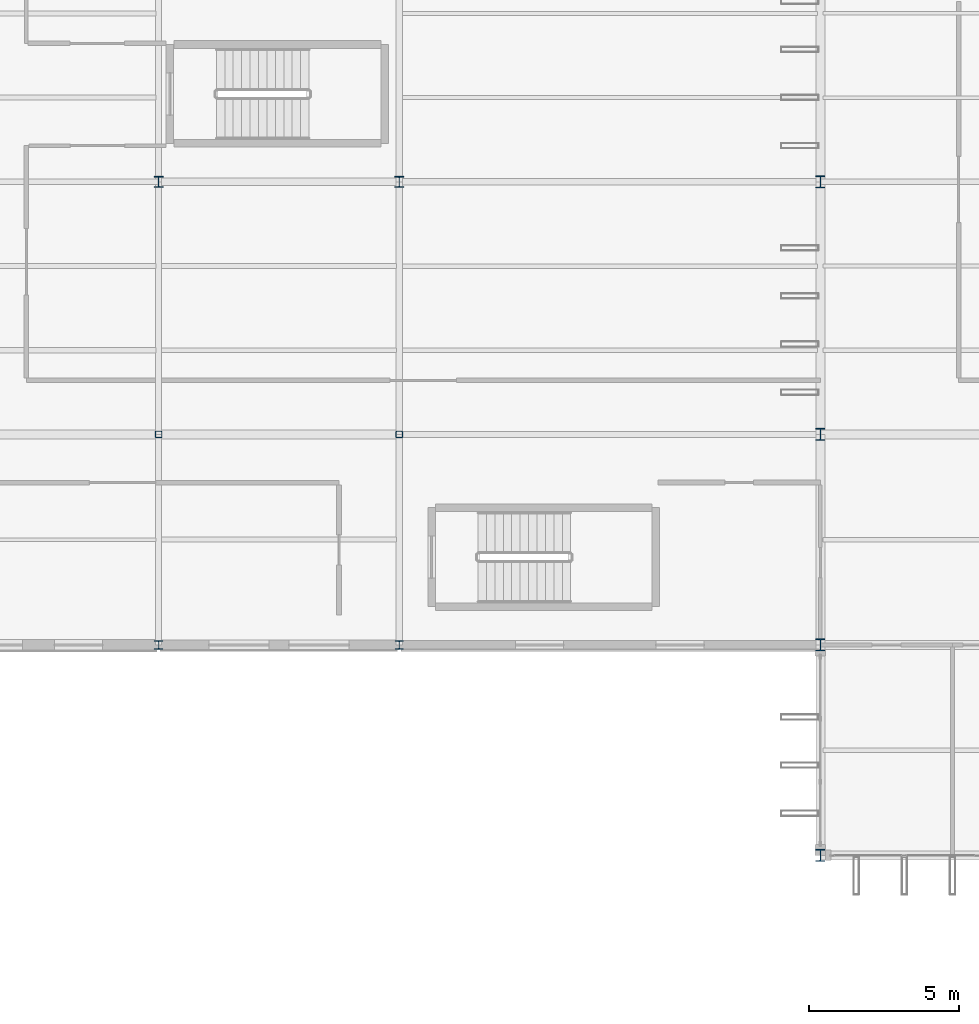
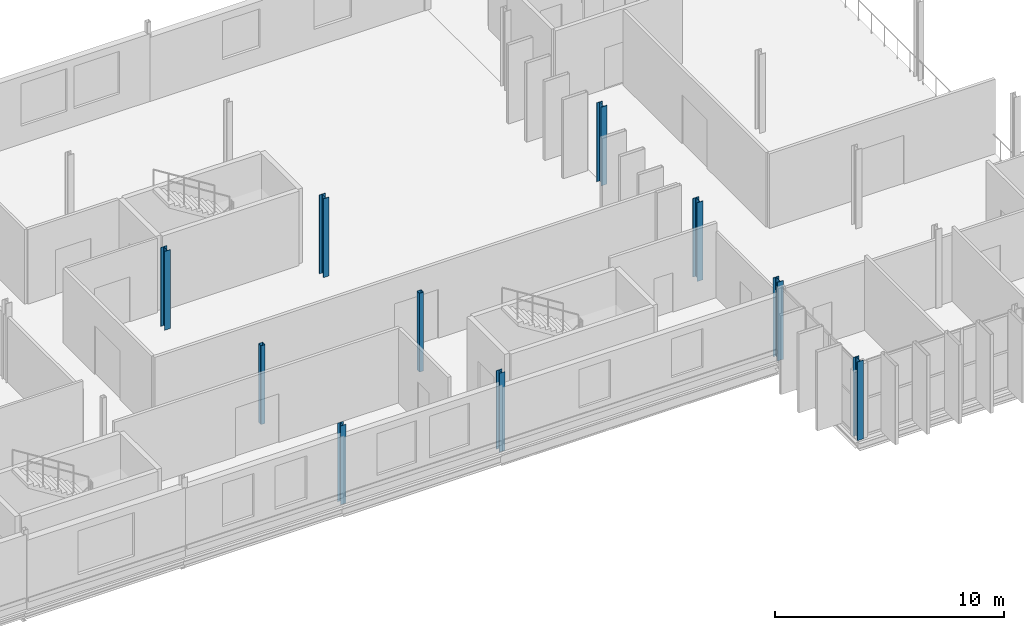
# One storey, part 2 of 101: 10 columns.
"""IFC4 building model written with IfcOpenShell, lengths in metres."""

from ifc_helpers import new_model, si_unit, direction, frame, origin, origin_2d, place, context, subcontext, project, spatial, hollow_rectangle, i_section, extrude, material, material_profile, profile_set, type_object, element, save


model = new_model("IFC4")

# Units and contexts
model_context = context("Model", 3, precision=1e-05, world=origin(), true_north=direction((0.0, 1.0)))
body_context = subcontext(model_context, "Body", "Model", "MODEL_VIEW")
ifc_project = project(units=[si_unit("LENGTHUNIT", "METRE"), si_unit("AREAUNIT", "SQUARE_METRE"), si_unit("VOLUMEUNIT", "CUBIC_METRE"), si_unit("PLANEANGLEUNIT", "RADIAN"), si_unit("MASSUNIT", "GRAM", prefix="KILO")], contexts=[model_context])

# Site, building, storey
site_placement = place(None, origin())
site = spatial("IfcSite", under=ifc_project, at=site_placement, CompositionType="ELEMENT")
building_placement = place(site_placement, origin())
building = spatial("IfcBuilding", under=site, at=building_placement, Name="Vekula Escarpment Museum", CompositionType="ELEMENT")
storey_placement = place(building_placement, frame((0.0, 0.0, 18.0)))
storey = spatial("IfcBuildingStorey", under=building, at=storey_placement, Name="L04", CompositionType="ELEMENT", Elevation=18.0)

# Columns
ifc_material_1 = material(Name="Steel S355", Category="steel")
ifc_material_profile_1 = material_profile(ifc_material_1, i_section(OverallWidth=0.280029296875, OverallDepth=0.27001953125, WebThickness=0.008056640625, FlangeThickness=0.012939453125, FilletRadius=0.02392578125, at=origin_2d()), Name="HEA 280")
ifc_profile_set_1 = profile_set([ifc_material_profile_1], Name="Steel S355")
column_type_1 = type_object("IfcColumnType", Name="COL-S-HEA280", PredefinedType="COLUMN", material=ifc_profile_set_1)
for number, where, z_axis, x_axis, name in (
    (1, (48.0, 52.60009765625, 0.0), (0.0, 0.0, 1.0), (1.0, 0.0, 0.0), "Column L04 (48.0,52.6)"),
    (2, (56.0, 52.60009765625, 0.0), (0.0, 0.0, 1.0), (1.0, 0.0, 0.0), "Column L04 (56.0,52.6)"),
):
    element("IfcColumn", number, at=place(storey_placement, frame(where, z_axis=z_axis, x_axis=x_axis)), inside=storey, type_object=column_type_1, Name=name, PredefinedType="COLUMN", context=body_context, shape_type="SweptSolid", body=[
        extrude(i_section(OverallWidth=0.280029296875, OverallDepth=0.27001953125, WebThickness=0.008056640625, FlangeThickness=0.012939453125, FilletRadius=0.02392578125, at=origin_2d()), origin(), (0.0, 0.0, 1.0), 4.199951171875),
    ])
ifc_material_2 = material(Name="Steel S355", Category="steel")
ifc_material_profile_2 = material_profile(ifc_material_2, i_section(OverallWidth=0.300048828125, OverallDepth=0.360107421875, WebThickness=0.012451171875, FlangeThickness=0.0224609375, FilletRadius=0.027099609375, at=origin_2d()), Name="HEB 360")
ifc_profile_set_2 = profile_set([ifc_material_profile_2], Name="Steel S355")
column_type_2 = type_object("IfcColumnType", Name="COL-S-HEB360", PredefinedType="COLUMN", material=ifc_profile_set_2)
for number, where, z_axis, x_axis, name in (
    (3, (48.0, 68.0, 0.0), (0.0, 0.0, 1.0), (1.0, 0.0, 0.0), "Column L04 (48.0,68.0)"),
    (4, (56.0, 68.0, 0.0), (0.0, 0.0, 1.0), (1.0, 0.0, 0.0), "Column L04 (56.0,68.0)"),
):
    element("IfcColumn", number, at=place(storey_placement, frame(where, z_axis=z_axis, x_axis=x_axis)), inside=storey, type_object=column_type_2, Name=name, PredefinedType="COLUMN", context=body_context, shape_type="SweptSolid", body=[
        extrude(i_section(OverallWidth=0.300048828125, OverallDepth=0.360107421875, WebThickness=0.012451171875, FlangeThickness=0.0224609375, FilletRadius=0.027099609375, at=origin_2d()), origin(), (0.0, 0.0, 1.0), 4.199951171875),
    ])
ifc_material_3 = material(Name="Steel S355", Category="steel")
ifc_material_profile_3 = material_profile(ifc_material_3, i_section(OverallWidth=0.300048828125, OverallDepth=0.39990234375, WebThickness=0.013427734375, FlangeThickness=0.02392578125, FilletRadius=0.027099609375, at=origin_2d()), Name="HEB 400")
ifc_profile_set_3 = profile_set([ifc_material_profile_3], Name="Steel S355")
column_type_3 = type_object("IfcColumnType", Name="COL-S-HEB400", PredefinedType="COLUMN", material=ifc_profile_set_3)
for number, where, z_axis, x_axis, name in (
    (5, (70.0, 45.60009765625, 0.0), (0.0, 0.0, 1.0), (1.0, 0.0, 0.0), "Column L04 (70.0,45.6)"),
    (6, (70.0, 52.60009765625, 0.0), (0.0, 0.0, 1.0), (1.0, 0.0, 0.0), "Column L04 (70.0,52.6)"),
    (7, (70.0, 59.60009765625, 0.0), (0.0, 0.0, 1.0), (1.0, 0.0, 0.0), "Column L04 (70.0,59.6)"),
    (8, (70.0, 68.0, 0.0), (0.0, 0.0, 1.0), (1.0, 0.0, 0.0), "Column L04 (70.0,68.0)"),
):
    element("IfcColumn", number, at=place(storey_placement, frame(where, z_axis=z_axis, x_axis=x_axis)), inside=storey, type_object=column_type_3, Name=name, PredefinedType="COLUMN", context=body_context, shape_type="SweptSolid", body=[
        extrude(i_section(OverallWidth=0.300048828125, OverallDepth=0.39990234375, WebThickness=0.013427734375, FlangeThickness=0.02392578125, FilletRadius=0.027099609375, at=origin_2d()), origin(), (0.0, 0.0, 1.0), 4.199951171875),
    ])
ifc_material_4 = material(Name="Steel S355", Category="steel")
ifc_material_profile_4 = material_profile(ifc_material_4, hollow_rectangle(XDim=0.219970703125, YDim=0.219970703125, WallThickness=0.011962890625, InnerFilletRadius=0.011962890625, OuterFilletRadius=0.02392578125, at=origin_2d()), Name="SHS 220x220x12")
ifc_profile_set_4 = profile_set([ifc_material_profile_4], Name="Steel S355")
column_type_4 = type_object("IfcColumnType", Name="COL-S-SHS220", PredefinedType="COLUMN", material=ifc_profile_set_4)
for number, where, z_axis, x_axis, name in (
    (9, (48.0, 59.60009765625, 0.0), (0.0, 0.0, 1.0), (1.0, 0.0, 0.0), "Column L04 (48.0,59.6)"),
    (10, (56.0, 59.60009765625, 0.0), (0.0, 0.0, 1.0), (1.0, 0.0, 0.0), "Column L04 (56.0,59.6)"),
):
    element("IfcColumn", number, at=place(storey_placement, frame(where, z_axis=z_axis, x_axis=x_axis)), inside=storey, type_object=column_type_4, Name=name, PredefinedType="COLUMN", context=body_context, shape_type="SweptSolid", body=[
        extrude(hollow_rectangle(XDim=0.219970703125, YDim=0.219970703125, WallThickness=0.011962890625, InnerFilletRadius=0.011962890625, OuterFilletRadius=0.02392578125, at=origin_2d()), origin(), (0.0, 0.0, 1.0), 4.199951171875),
    ])

save(model, "model.ifc")
